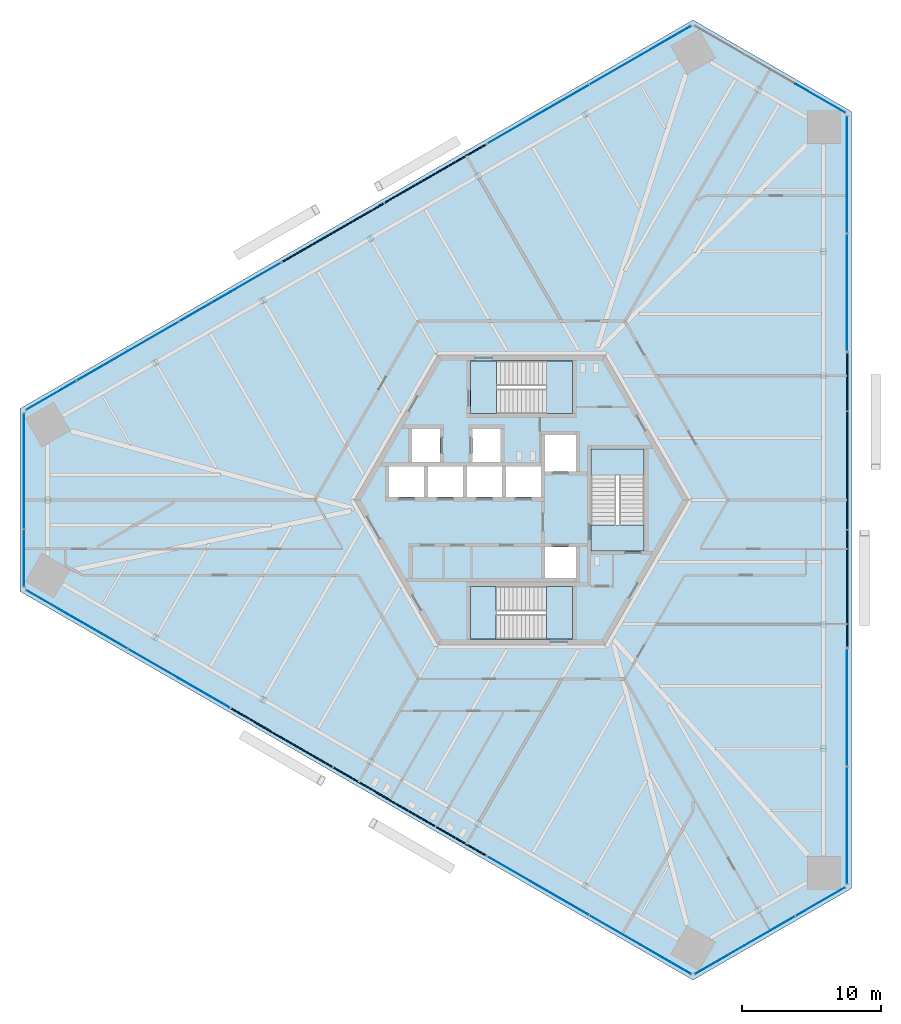
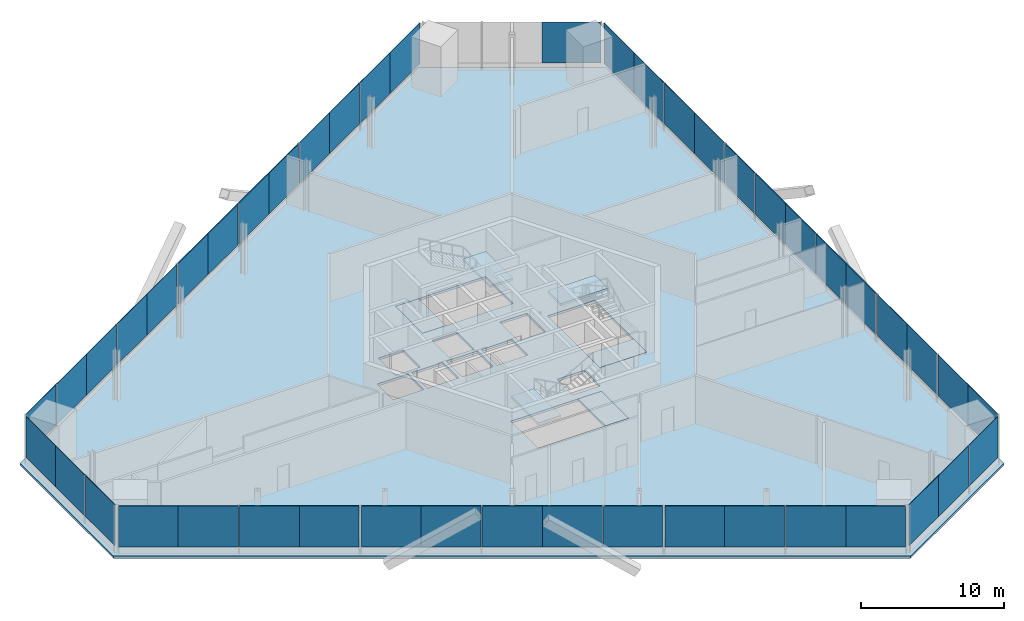
# One storey, part 8 of 15: 46 plates, 7 slabs, 15 elements without a shape of their own.
"""IFC4 building model written with IfcOpenShell, lengths in metres."""

import ifcopenshell
import ifcopenshell.guid

model = None  # the IFC model being written
_history = None  # IfcOwnerHistory: only IFC2X3 demands one
_inside = {}  # id of a spatial element -> (the spatial element, [elements in it])
_under = {}  # id of a project, library or spatial element -> (it, [spatial elements below it])
_declared = {}  # id of a project -> (the project, [libraries it declares])
_typed = {}  # id of a type object -> (the type object, [elements of that type])
_made_of = {}  # id of a material, layer set ... -> (it, [elements and type objects made of it])


def new_model(schema):
    """Start an empty IFC model of exactly this schema.

    Asked for "IFC4X3", IfcOpenShell would pick the latest addendum, in which some entities
    have other attributes; the version numbers below select the first issue.
    IFC2X3 requires an IfcOwnerHistory on every rooted entity: one is made here for all.
    """
    global model, _history
    if schema == "IFC4X3":
        model = ifcopenshell.file(schema_version=(4, 3, 0, 0))
    else:
        model = ifcopenshell.file(schema=schema)
    _inside.clear()
    _under.clear()
    _declared.clear()
    _typed.clear()
    _made_of.clear()
    _history = None
    if model.schema == "IFC2X3":
        org = make("IfcOrganization", Name="unknown")
        user = make(
            "IfcPersonAndOrganization",
            ThePerson=make("IfcPerson", FamilyName="unknown"),
            TheOrganization=org,
        )
        app = make(
            "IfcApplication",
            ApplicationDeveloper=org,
            Version="unknown",
            ApplicationFullName="unknown",
            ApplicationIdentifier="unknown",
        )
        _history = make(
            "IfcOwnerHistory",
            OwningUser=user,
            OwningApplication=app,
            ChangeAction="ADDED",
            CreationDate=0,
        )
    return model


def make(cls, **values):
    """One entity of the class cls with the attributes given. An attribute that is None is left unset."""
    return model.create_entity(
        cls, **{name: value for name, value in values.items() if value is not None}
    )


def rooted(cls, **values):
    """An entity with a GlobalId (a new one), such as an element, a storey or a relation."""
    return make(cls, GlobalId=ifcopenshell.guid.new(), OwnerHistory=_history, **values)


def si_unit(unit_type, name, prefix=None):
    """IfcSIUnit, for example si_unit("LENGTHUNIT", "METRE", prefix="MILLI")."""
    return make("IfcSIUnit", UnitType=unit_type, Prefix=prefix, Name=name)


def assignment(units):
    """IfcUnitAssignment: the units of a project."""
    return None if units is None else make("IfcUnitAssignment", Units=units)


def point(xyz):
    """IfcCartesianPoint."""
    return None if xyz is None else make("IfcCartesianPoint", Coordinates=xyz)


def direction(xyz):
    """IfcDirection."""
    return None if xyz is None else make("IfcDirection", DirectionRatios=xyz)


def frame(location, z_axis=None, x_axis=None):
    """IfcAxis2Placement3D, a coordinate frame: its origin and axes. An axis left out is left unset."""
    return make(
        "IfcAxis2Placement3D",
        Location=point(location),
        Axis=direction(z_axis),
        RefDirection=direction(x_axis),
    )


def frame_2d(location, x_axis=None):
    """IfcAxis2Placement2D, a coordinate frame in the plane: its origin and x axis."""
    return make(
        "IfcAxis2Placement2D", Location=point(location), RefDirection=direction(x_axis)
    )


def origin():
    """The frame at (0, 0, 0) with its axes left unset."""
    return frame((0.0, 0.0, 0.0))


def origin_2d():
    """The frame at (0, 0) in the plane with its x axis left unset."""
    return frame_2d((0.0, 0.0))


def place(relative_to, where):
    """IfcLocalPlacement: puts the frame where relative to a parent placement (None: the world)."""
    return make(
        "IfcLocalPlacement", PlacementRelTo=relative_to, RelativePlacement=where
    )


def context(
    kind, dimensions, precision=None, world=None, true_north=None, identifier=None
):
    """IfcGeometricRepresentationContext, for example the 3D "Model" context."""
    return make(
        "IfcGeometricRepresentationContext",
        ContextIdentifier=identifier,
        ContextType=kind,
        CoordinateSpaceDimension=dimensions,
        Precision=precision,
        WorldCoordinateSystem=world,
        TrueNorth=true_north,
    )


def subcontext(parent, identifier, kind, view, scale=None):
    """IfcGeometricRepresentationSubContext, for example "Body" below "Model"."""
    return make(
        "IfcGeometricRepresentationSubContext",
        ContextIdentifier=identifier,
        ContextType=kind,
        ParentContext=parent,
        TargetScale=scale,
        TargetView=view,
    )


def project(units=None, contexts=None):
    """IfcProject with its units and contexts."""
    return rooted(
        "IfcProject",
        Name="project",
        RepresentationContexts=contexts,
        UnitsInContext=assignment(units),
    )


def spatial(cls, under=None, at=None, **own):
    """A site, building, storey or space (cls), placed at a placement, below another one or the project."""
    s = rooted(cls, ObjectPlacement=at, **own)
    if under is not None:
        _under.setdefault(under.id(), (under, []))[1].append(s)
    return s


def polyline(points):
    """IfcPolyline through the points."""
    return make("IfcPolyline", Points=[point(p) for p in points])


def profile(cls, at=None, kind="AREA", **sizes):
    """A parametric profile (cls). Its sizes go by their IFC names, for example OverallWidth=200.0."""
    return make(cls, ProfileType=kind, Position=at, **sizes)


def rectangle(**sizes):
    """IfcRectangleProfileDef."""
    return profile("IfcRectangleProfileDef", **sizes)


def outline(outer, holes=None, kind="AREA"):
    """IfcArbitraryClosedProfileDef: a profile drawn as a closed curve; with holes, ...WithVoids."""
    if holes is None:
        return make("IfcArbitraryClosedProfileDef", ProfileType=kind, OuterCurve=outer)
    return make(
        "IfcArbitraryProfileDefWithVoids",
        ProfileType=kind,
        OuterCurve=outer,
        InnerCurves=holes,
    )


def extrude(swept, where, along, depth):
    """IfcExtrudedAreaSolid: the profile swept, set in the frame where, extruded along a direction by depth."""
    return make(
        "IfcExtrudedAreaSolid",
        SweptArea=swept,
        Position=where,
        ExtrudedDirection=direction(along),
        Depth=depth,
    )


def shape(context_of_items, identifier, shape_type, items):
    """IfcShapeRepresentation: the items that make up one representation, for example the "Body"."""
    return make(
        "IfcShapeRepresentation",
        ContextOfItems=context_of_items,
        RepresentationIdentifier=identifier,
        RepresentationType=shape_type,
        Items=items,
    )


def source(mapping_origin, context_of_items, identifier, shape_type, items):
    """IfcRepresentationMap: a shape defined once, which mapped items show again and again."""
    return make(
        "IfcRepresentationMap",
        MappingOrigin=mapping_origin,
        MappedRepresentation=shape(context_of_items, identifier, shape_type, items),
    )


def transform(
    local_origin,
    x_axis=None,
    y_axis=None,
    z_axis=None,
    scale=None,
    scale2=None,
    scale3=None,
    uniform=True,
):
    """IfcCartesianTransformationOperator3D, or its non-uniform kind. x_axis, y_axis, z_axis: its Axis1, 2, 3."""
    if uniform:
        return make(
            "IfcCartesianTransformationOperator3D",
            Axis1=direction(x_axis),
            Axis2=direction(y_axis),
            LocalOrigin=point(local_origin),
            Scale=scale,
            Axis3=direction(z_axis),
        )
    return make(
        "IfcCartesianTransformationOperator3DnonUniform",
        Axis1=direction(x_axis),
        Axis2=direction(y_axis),
        LocalOrigin=point(local_origin),
        Scale=scale,
        Axis3=direction(z_axis),
        Scale2=scale2,
        Scale3=scale3,
    )


def mapped(mapping_source, mapping_target):
    """IfcMappedItem: shows the shape of a source again, moved by a transform."""
    return make(
        "IfcMappedItem", MappingSource=mapping_source, MappingTarget=mapping_target
    )


def material(Name=None, Category=None):
    """IfcMaterial."""
    return make("IfcMaterial", Name=Name, Category=Category)


def layer(
    of_material, thickness, ventilated=None, Name=None, Category=None, Priority=None
):
    """IfcMaterialLayer: one layer of a wall or slab, of a material (None: an air gap)."""
    return make(
        "IfcMaterialLayer",
        Material=of_material,
        LayerThickness=thickness,
        IsVentilated=ventilated,
        Name=Name,
        Category=Category,
        Priority=Priority,
    )


def layer_set(layers, Name=None):
    """IfcMaterialLayerSet."""
    return make("IfcMaterialLayerSet", MaterialLayers=layers, LayerSetName=Name)


def made_of(thing, what):
    """Note that an element or type object is made of a material, layer set ...; save() writes the relation."""
    if what is not None:
        _made_of.setdefault(what.id(), (what, []))[1].append(thing)
    return thing


def type_object(cls, material=None, **own):
    """A type object (cls), such as IfcWallType, which elements share."""
    return made_of(rooted(cls, **own), material)


def element(
    cls,
    number,
    at=None,
    inside=None,
    cuts=None,
    type_object=None,
    material=None,
    context=None,
    identifier="Body",
    shape_type=None,
    held_by="IfcProductDefinitionShape",
    body=None,
    shapes=None,
    **own,
):
    """One element of the class cls, such as IfcWall. Its Tag is "e" and its number.

    at: its placement. inside: the storey or other place that contains it. cuts: it is an
    opening in that element (IfcRelVoidsElement). A single representation is given by context,
    identifier, shape_type and body (its items); several are given by shapes. held_by: the class
    of the entity that holds the representations. save() writes the other relations.
    """
    e = rooted(cls, Tag="e%d" % number, ObjectPlacement=at, **own)
    if body is not None:
        shapes = [shape(context, identifier, shape_type, body)]
    if shapes is not None:
        e.Representation = make(held_by, Representations=shapes)
    if inside is not None:
        _inside.setdefault(inside.id(), (inside, []))[1].append(e)
    if cuts is not None:
        rooted(
            "IfcRelVoidsElement", RelatingBuildingElement=cuts, RelatedOpeningElement=e
        )
    if type_object is not None:
        _typed.setdefault(type_object.id(), (type_object, []))[1].append(e)
    return made_of(e, material)


def aggregate(whole, parts):
    """IfcRelAggregates: a whole, such as a stair, and the parts it consists of."""
    return rooted("IfcRelAggregates", RelatingObject=whole, RelatedObjects=parts)


def save(model, path):
    """Write the relations noted so far, then the file.

    IfcRelAggregates (storeys below a building ...), IfcRelContainedInSpatialStructure (elements
    in a storey), IfcRelDefinesByType, IfcRelAssociatesMaterial and IfcRelDeclares: one each for
    every whole, place, type object, material and project.
    """
    for whole, parts in _under.values():
        aggregate(whole, parts)
    for where, things in _inside.values():
        rooted(
            "IfcRelContainedInSpatialStructure",
            RelatedElements=things,
            RelatingStructure=where,
        )
    for kind, things in _typed.values():
        rooted("IfcRelDefinesByType", RelatedObjects=things, RelatingType=kind)
    for what, things in _made_of.values():
        rooted("IfcRelAssociatesMaterial", RelatedObjects=things, RelatingMaterial=what)
    for by, libraries in _declared.values():
        rooted("IfcRelDeclares", RelatingContext=by, RelatedDefinitions=libraries)
    model.write(path)


model = new_model("IFC4")

# Units and contexts
model_context = context("Model", 3, precision=1e-05, world=origin(), true_north=direction((0.0, 1.0)))
body_context = subcontext(model_context, "Body", "Model", "MODEL_VIEW")
ifc_project = project(units=[si_unit("LENGTHUNIT", "METRE"), si_unit("AREAUNIT", "SQUARE_METRE"), si_unit("VOLUMEUNIT", "CUBIC_METRE"), si_unit("PLANEANGLEUNIT", "RADIAN"), si_unit("MASSUNIT", "GRAM", prefix="KILO")], contexts=[model_context])

# Site, building, storey
site_placement = place(None, origin())
site = spatial("IfcSite", under=ifc_project, at=site_placement, CompositionType="ELEMENT")
building_placement = place(site_placement, origin())
building = spatial("IfcBuilding", under=site, at=building_placement, Name="Triune Harvest Tower", CompositionType="ELEMENT")
storey_placement = place(building_placement, frame((0.0, 0.0, 28.89990234375)))
storey = spatial("IfcBuildingStorey", under=building, at=storey_placement, Name="L06", CompositionType="ELEMENT", Elevation=28.89990234375)

# Slab
ifc_material_1 = material(Name="Concrete 40 MPa", Category="concrete")
ifc_layer_1 = layer(ifc_material_1, 0.199951171875)
ifc_layer_set_1 = layer_set([ifc_layer_1], Name="Concrete 40 MPa")
slab_type_1 = type_object("IfcSlabType", Name="SL-3 Composite floor slab 200", PredefinedType="FLOOR", material=ifc_layer_set_1)
shared_shape_1 = source(origin(), body_context, "Body", "SweptSolid", [
    extrude(outline(polyline([(23.67138671875, -27.8798828125), (23.67138671875, 27.8798828125), (12.30908203125, 34.43994140625), (-35.98046875, 6.56005859375), (-35.98046875, -6.56005859375), (12.30908203125, -34.43994140625), (23.67138671875, -27.8798828125)]), holes=[polyline([(-7.0, 0.2099609375), (-7.0, 2.409912109375), (-9.5, 2.409912109375), (-9.5, 0.2099609375), (-7.0, 0.2099609375)]), polyline([(-4.199951171875, 0.2099609375), (-4.199951171875, 2.409912109375), (-6.699951171875, 2.409912109375), (-6.699951171875, 0.2099609375), (-4.199951171875, 0.2099609375)]), polyline([(-1.39990234375, 0.2099609375), (-1.39990234375, 2.409912109375), (-3.89990234375, 2.409912109375), (-3.89990234375, 0.2099609375), (-1.39990234375, 0.2099609375)]), polyline([(1.39990234375, 0.2099609375), (1.39990234375, 2.409912109375), (-1.10009765625, 2.409912109375), (-1.10009765625, 0.2099609375), (1.39990234375, 0.2099609375)]), polyline([(3.89990234375, 2.06005859375), (3.89990234375, 4.659912109375), (1.699951171875, 4.659912109375), (1.699951171875, 2.06005859375), (3.89990234375, 2.06005859375)]), polyline([(3.89990234375, -5.590087890625), (3.89990234375, -3.389892578125), (1.699951171875, -3.389892578125), (1.699951171875, -5.590087890625), (3.89990234375, -5.590087890625)]), polyline([(-5.85009765625, 2.7099609375), (-5.85009765625, 5.110107421875), (-7.85009765625, 5.110107421875), (-7.85009765625, 2.7099609375), (-5.85009765625, 2.7099609375)]), polyline([(-1.5, 2.7099609375), (-1.5, 5.110107421875), (-3.5, 5.110107421875), (-3.5, 2.7099609375), (-1.5, 2.7099609375)]), polyline([(3.64990234375, 6.18994140625), (3.64990234375, 9.989990234375), (-3.64990234375, 9.989990234375), (-3.64990234375, 6.18994140625), (3.64990234375, 6.18994140625)]), polyline([(3.64990234375, -9.989990234375), (3.64990234375, -6.18994140625), (-3.64990234375, -6.18994140625), (-3.64990234375, -9.989990234375), (3.64990234375, -9.989990234375)]), polyline([(8.800048828125, -3.64990234375), (8.800048828125, 3.64990234375), (5.0, 3.64990234375), (5.0, -3.64990234375), (8.800048828125, -3.64990234375)])]), origin(), (0.0, 0.0, 1.0), 0.199951171875),
])
slab_1_placement = place(storey_placement, frame((0.0, 0.0, -0.199951171875)))
element("IfcSlab", 1, at=slab_1_placement, inside=storey, type_object=slab_type_1, Name="slab/L06/1", PredefinedType="FLOOR", context=body_context, shape_type="MappedRepresentation", body=[
    mapped(shared_shape_1, transform((0.0, 0.0, 0.0), scale=1.0)),
])

# Stair, slabs
ifc_material_2 = material(Name="Concrete 40 MPa", Category="concrete")
stair_type = type_object("IfcStairType", Name="Exit stair 1800 half turn", PredefinedType="HALF_TURN_STAIR", material=ifc_material_2)
stair_1_placement = place(storey_placement, origin())
stair_1 = element("IfcStair", 2, at=stair_1_placement, inside=storey, type_object=stair_type, Name="Exit stair north", PredefinedType="HALF_TURN_STAIR")
ifc_material_3 = material(Name="Concrete 40 MPa", Category="concrete")
ifc_layer_2 = layer(ifc_material_3, 0.199951171875)
ifc_layer_set_2 = layer_set([ifc_layer_2], Name="Concrete 40 MPa")
slab_type_2 = type_object("IfcSlabType", Name="Stair landing 200", PredefinedType="LANDING", material=ifc_layer_set_2)
shared_shape_2 = source(origin(), body_context, "Body", "SweptSolid", [
    extrude(outline(polyline([(-3.64990234375, 6.18994140625), (-1.780029296875, 6.18994140625), (-1.780029296875, 9.989990234375), (-3.64990234375, 9.989990234375), (-3.64990234375, 6.18994140625)])), origin(), (0.0, 0.0, 1.0), 0.199951171875),
])
slab_2_placement = place(storey_placement, frame((0.0, 0.0, -0.199951171875)))
slab_2 = element("IfcSlab", 3, at=slab_2_placement, type_object=slab_type_2, Name="ST-1 landing 1", PredefinedType="LANDING", context=body_context, shape_type="MappedRepresentation", body=[
    mapped(shared_shape_2, transform((0.0, 0.0, 0.0), scale=1.0)),
])
shared_shape_3 = source(origin(), body_context, "Body", "SweptSolid", [
    extrude(outline(polyline([(1.81005859375, 6.18994140625), (3.64990234375, 6.18994140625), (3.64990234375, 9.989990234375), (1.81005859375, 9.989990234375), (1.81005859375, 6.18994140625)])), origin(), (0.0, 0.0, 1.0), 0.199951171875),
])
slab_3_placement = place(storey_placement, frame((0.0, 0.0, 1.9501953125)))
slab_3 = element("IfcSlab", 4, at=slab_3_placement, type_object=slab_type_2, Name="ST-1 landing 2", PredefinedType="LANDING", context=body_context, shape_type="MappedRepresentation", body=[
    mapped(shared_shape_3, transform((0.0, 0.0, 0.0), scale=1.0)),
])
aggregate(stair_1, [slab_2, slab_3])

stair_2_placement = place(storey_placement, origin())
stair_2 = element("IfcStair", 5, at=stair_2_placement, inside=storey, type_object=stair_type, Name="Exit stair south", PredefinedType="HALF_TURN_STAIR")
shared_shape_4 = source(origin(), body_context, "Body", "SweptSolid", [
    extrude(outline(polyline([(3.64990234375, -6.18994140625), (1.780029296875, -6.18994140625), (1.780029296875, -9.989990234375), (3.64990234375, -9.989990234375), (3.64990234375, -6.18994140625)])), origin(), (0.0, 0.0, 1.0), 0.199951171875),
])
slab_4_placement = place(storey_placement, frame((0.0, 0.0, -0.199951171875)))
slab_4 = element("IfcSlab", 6, at=slab_4_placement, type_object=slab_type_2, Name="ST-2 landing 1", PredefinedType="LANDING", context=body_context, shape_type="MappedRepresentation", body=[
    mapped(shared_shape_4, transform((0.0, 0.0, 0.0), scale=1.0)),
])
shared_shape_5 = source(origin(), body_context, "Body", "SweptSolid", [
    extrude(outline(polyline([(-1.81005859375, -6.18994140625), (-3.64990234375, -6.18994140625), (-3.64990234375, -9.989990234375), (-1.81005859375, -9.989990234375), (-1.81005859375, -6.18994140625)])), origin(), (0.0, 0.0, 1.0), 0.199951171875),
])
slab_5_placement = place(storey_placement, frame((0.0, 0.0, 1.9501953125)))
slab_5 = element("IfcSlab", 7, at=slab_5_placement, type_object=slab_type_2, Name="ST-2 landing 2", PredefinedType="LANDING", context=body_context, shape_type="MappedRepresentation", body=[
    mapped(shared_shape_5, transform((0.0, 0.0, 0.0), scale=1.0)),
])
aggregate(stair_2, [slab_4, slab_5])

stair_3_placement = place(storey_placement, origin())
stair_3 = element("IfcStair", 8, at=stair_3_placement, inside=storey, type_object=stair_type, Name="Exit stair east", PredefinedType="HALF_TURN_STAIR")
shared_shape_6 = source(origin(), body_context, "Body", "SweptSolid", [
    extrude(outline(polyline([(8.800048828125, -3.64990234375), (8.800048828125, -1.780029296875), (5.0, -1.780029296875), (5.0, -3.64990234375), (8.800048828125, -3.64990234375)])), origin(), (0.0, 0.0, 1.0), 0.199951171875),
])
slab_6_placement = place(storey_placement, frame((0.0, 0.0, -0.199951171875)))
slab_6 = element("IfcSlab", 9, at=slab_6_placement, type_object=slab_type_2, Name="ST-3 landing 1", PredefinedType="LANDING", context=body_context, shape_type="MappedRepresentation", body=[
    mapped(shared_shape_6, transform((0.0, 0.0, 0.0), scale=1.0)),
])
shared_shape_7 = source(origin(), body_context, "Body", "SweptSolid", [
    extrude(outline(polyline([(8.800048828125, 1.81005859375), (8.800048828125, 3.64990234375), (5.0, 3.64990234375), (5.0, 1.81005859375), (8.800048828125, 1.81005859375)])), origin(), (0.0, 0.0, 1.0), 0.199951171875),
])
slab_7_placement = place(storey_placement, frame((0.0, 0.0, 1.9501953125)))
slab_7 = element("IfcSlab", 10, at=slab_7_placement, type_object=slab_type_2, Name="ST-3 landing 2", PredefinedType="LANDING", context=body_context, shape_type="MappedRepresentation", body=[
    mapped(shared_shape_7, transform((0.0, 0.0, 0.0), scale=1.0)),
])
aggregate(stair_3, [slab_6, slab_7])

# Curtain wall, plate
ifc_material_4 = material(Name="Aluminium bronze anodised", Category="aluminium")
curtain_wall_type_1 = type_object("IfcCurtainWallType", Name="CW-3 Farm floor curtain wall", PredefinedType="NOTDEFINED", material=ifc_material_4)
curtain_wall_1_placement = place(storey_placement, origin())
curtain_wall_1 = element("IfcCurtainWall", 11, at=curtain_wall_1_placement, inside=storey, type_object=curtain_wall_type_1, Name="CW-3 B1-F2 L06 run 1")
ifc_material_5 = material(Name="Glass", Category="glass")
ifc_layer_3 = layer(ifc_material_5, 0.035888671875)
ifc_layer_set_3 = layer_set([ifc_layer_3], Name="Glass")
plate_type_1 = type_object("IfcPlateType", Name="GL-3 panel 36", PredefinedType="CURTAIN_PANEL", material=ifc_layer_set_3)
shared_shape_8 = source(origin(), body_context, "Body", "SweptSolid", [
    extrude(rectangle(XDim=4.117919921875, YDim=0.035888671875, at=origin_2d()), origin(), (0.0, 0.0, 1.0), 3.5),
])
plate_1_placement = place(storey_placement, frame((21.441162109375, 28.8212890625, 0.60009765625), z_axis=(0.0, 0.0, 1.0), x_axis=(-0.866026145592, 0.499998715149, 0.0)))
plate_1 = element("IfcPlate", 12, at=plate_1_placement, type_object=plate_type_1, Name="CW-3 panel B1-F2 1.1", PredefinedType="CURTAIN_PANEL", context=body_context, shape_type="MappedRepresentation", body=[
    mapped(shared_shape_8, transform((0.0, 0.0, 0.0), scale=1.0)),
])
aggregate(curtain_wall_1, [plate_1])

curtain_wall_2_placement = place(storey_placement, origin())
curtain_wall_2 = element("IfcCurtainWall", 13, at=curtain_wall_2_placement, inside=storey, type_object=curtain_wall_type_1, Name="CW-3 B1-F4 L06 run 1")
plate_2_placement = place(storey_placement, frame((-35.680419921875, 4.157958984375, 0.60009765625), z_axis=(0.0, 0.0, 1.0), x_axis=(0.0, -1.0, 0.0)))
plate_2 = element("IfcPlate", 14, at=plate_2_placement, type_object=plate_type_1, Name="CW-3 panel B1-F4 1.1", PredefinedType="CURTAIN_PANEL", context=body_context, shape_type="MappedRepresentation", body=[
    mapped(shared_shape_8, transform((0.0, 0.0, 0.0), scale=1.0)),
])

curtain_wall_3_placement = place(storey_placement, origin())
curtain_wall_3 = element("IfcCurtainWall", 15, at=curtain_wall_3_placement, inside=storey, type_object=curtain_wall_type_1, Name="CW-3 B1-F6 L06 run 1")
plate_3_placement = place(storey_placement, frame((14.239501953125, -32.979248046875, 0.60009765625), z_axis=(0.0, 0.0, 1.0), x_axis=(0.866026145592, 0.499998715149, 0.0)))
plate_3 = element("IfcPlate", 16, at=plate_3_placement, type_object=plate_type_1, Name="CW-3 panel B1-F6 1.1", PredefinedType="CURTAIN_PANEL", context=body_context, shape_type="MappedRepresentation", body=[
    mapped(shared_shape_8, transform((0.0, 0.0, 0.0), scale=1.0)),
])

# Plate
shared_shape_9 = source(origin(), body_context, "Body", "SweptSolid", [
    extrude(rectangle(XDim=4.157958984375, YDim=0.035888671875, at=origin_2d()), origin(), (0.0, 0.0, 1.0), 3.5),
])
plate_4_placement = place(storey_placement, frame((-35.680419921875, 0.02001953125, 0.60009765625), z_axis=(0.0, 0.0, 1.0), x_axis=(0.0, -1.0, 0.0)))
plate_4 = element("IfcPlate", 17, at=plate_4_placement, type_object=plate_type_1, Name="CW-3 panel B1-F4 1.2", PredefinedType="CURTAIN_PANEL", context=body_context, shape_type="MappedRepresentation", body=[
    mapped(shared_shape_9, transform((0.0, 0.0, 0.0), scale=1.0)),
])

plate_5_placement = place(storey_placement, frame((17.822998046875, -30.91015625, 0.60009765625), z_axis=(0.0, 0.0, 1.0), x_axis=(0.866026145592, 0.499998715149, 0.0)))
plate_5 = element("IfcPlate", 18, at=plate_5_placement, type_object=plate_type_1, Name="CW-3 panel B1-F6 1.2", PredefinedType="CURTAIN_PANEL", context=body_context, shape_type="MappedRepresentation", body=[
    mapped(shared_shape_9, transform((0.0, 0.0, 0.0), scale=1.0)),
])

shared_shape_10 = source(origin(), body_context, "Body", "SweptSolid", [
    extrude(rectangle(XDim=4.077880859375, YDim=0.035888671875, at=origin_2d()), origin(), (0.0, 0.0, 1.0), 3.5),
])
plate_6_placement = place(storey_placement, frame((-35.680419921875, -4.177978515625, 0.60009765625), z_axis=(0.0, 0.0, 1.0), x_axis=(0.0, -1.0, 0.0)))
plate_6 = element("IfcPlate", 19, at=plate_6_placement, type_object=plate_type_1, Name="CW-3 panel B1-F4 1.3", PredefinedType="CURTAIN_PANEL", context=body_context, shape_type="MappedRepresentation", body=[
    mapped(shared_shape_10, transform((0.0, 0.0, 0.0), scale=1.0)),
])

aggregate(curtain_wall_2, [plate_2, plate_4, plate_6])

plate_7_placement = place(storey_placement, frame((21.45849609375, -28.811279296875, 0.60009765625), z_axis=(0.0, 0.0, 1.0), x_axis=(0.866026145592, 0.499998715149, 0.0)))
plate_7 = element("IfcPlate", 20, at=plate_7_placement, type_object=plate_type_1, Name="CW-3 panel B1-F6 1.3", PredefinedType="CURTAIN_PANEL", context=body_context, shape_type="MappedRepresentation", body=[
    mapped(shared_shape_10, transform((0.0, 0.0, 0.0), scale=1.0)),
])

aggregate(curtain_wall_3, [plate_3, plate_5, plate_7])

# Curtain wall, plate
ifc_material_6 = material(Name="Aluminium bronze anodised", Category="aluminium")
curtain_wall_type_2 = type_object("IfcCurtainWallType", Name="CW-8 Farm floor curtain wall with insulated spandrel infill", PredefinedType="NOTDEFINED", material=ifc_material_6)
curtain_wall_4_placement = place(storey_placement, origin())
curtain_wall_4 = element("IfcCurtainWall", 21, at=curtain_wall_4_placement, inside=storey, type_object=curtain_wall_type_2, Name="CW-8 B1-F1 L06 run 1001")
ifc_material_7 = material(Name="Insulated spandrel panel, bronze aluminium pan", Category="aluminium")
ifc_layer_4 = layer(ifc_material_7, 0.080078125)
ifc_layer_set_4 = layer_set([ifc_layer_4], Name="Insulated spandrel panel, bronze aluminium pan")
plate_type_2 = type_object("IfcPlateType", Name="SP-1 insulated spandrel panel 80", PredefinedType="CURTAIN_PANEL", material=ifc_layer_set_4)
shared_shape_11 = source(origin(), body_context, "Body", "SweptSolid", [
    extrude(rectangle(XDim=4.168701171875, YDim=0.080078125, at=origin_2d()), origin(), (0.0, 0.0, 1.0), 3.5),
])
plate_8_placement = place(storey_placement, frame((23.371337890625, -8.45751953125, 0.60009765625), z_axis=(0.0, 0.0, 1.0), x_axis=(0.0, 1.0, 0.0)))
plate_8 = element("IfcPlate", 22, at=plate_8_placement, type_object=plate_type_2, Name="CW-8 panel B1-F1 1001.1", PredefinedType="CURTAIN_PANEL", context=body_context, shape_type="MappedRepresentation", body=[
    mapped(shared_shape_11, transform((0.0, 0.0, 0.0), scale=1.0)),
])

# Curtain wall, plates
curtain_wall_5_placement = place(storey_placement, origin())
curtain_wall_5 = element("IfcCurtainWall", 23, at=curtain_wall_5_placement, inside=storey, type_object=curtain_wall_type_2, Name="CW-8 B1-F3 L06 run 1001")
plate_9_placement = place(storey_placement, frame((-4.361328125, 24.468994140625, 0.60009765625), z_axis=(0.0, 0.0, 1.0), x_axis=(-0.866025378224, -0.500000044272, 0.0)))
plate_9 = element("IfcPlate", 24, at=plate_9_placement, type_object=plate_type_2, Name="CW-8 panel B1-F3 1001.1", PredefinedType="CURTAIN_PANEL", context=body_context, shape_type="MappedRepresentation", body=[
    mapped(shared_shape_11, transform((0.0, 0.0, 0.0), scale=1.0)),
])
plate_10_placement = place(storey_placement, frame((-15.33056640625, 18.1357421875, 0.60009765625), z_axis=(0.0, 0.0, 1.0), x_axis=(-0.866025378224, -0.500000044272, 0.0)))
plate_10 = element("IfcPlate", 25, at=plate_10_placement, type_object=plate_type_2, Name="CW-8 panel B1-F3 1001.4", PredefinedType="CURTAIN_PANEL", context=body_context, shape_type="MappedRepresentation", body=[
    mapped(shared_shape_11, transform((0.0, 0.0, 0.0), scale=1.0)),
])

# Curtain wall, plate
curtain_wall_6_placement = place(storey_placement, origin())
curtain_wall_6 = element("IfcCurtainWall", 26, at=curtain_wall_6_placement, inside=storey, type_object=curtain_wall_type_2, Name="CW-8 B1-F5 L06 run 1001")
plate_11_placement = place(storey_placement, frame((-19.010009765625, -16.011474609375, 0.60009765625), z_axis=(0.0, 0.0, 1.0), x_axis=(0.866026612754, -0.499997905997, 0.0)))
plate_11 = element("IfcPlate", 27, at=plate_11_placement, type_object=plate_type_2, Name="CW-8 panel B1-F5 1001.1", PredefinedType="CURTAIN_PANEL", context=body_context, shape_type="MappedRepresentation", body=[
    mapped(shared_shape_11, transform((0.0, 0.0, 0.0), scale=1.0)),
])

# Plate
shared_shape_12 = source(origin(), body_context, "Body", "SweptSolid", [
    extrude(rectangle(XDim=4.208740234375, YDim=0.080078125, at=origin_2d()), origin(), (0.0, 0.0, 1.0), 3.5),
])
plate_12_placement = place(storey_placement, frame((23.371337890625, -4.268798828125, 0.60009765625), z_axis=(0.0, 0.0, 1.0), x_axis=(0.0, 1.0, 0.0)))
plate_12 = element("IfcPlate", 28, at=plate_12_placement, type_object=plate_type_2, Name="CW-8 panel B1-F1 1001.2", PredefinedType="CURTAIN_PANEL", context=body_context, shape_type="MappedRepresentation", body=[
    mapped(shared_shape_12, transform((0.0, 0.0, 0.0), scale=1.0)),
])

plate_13_placement = place(storey_placement, frame((23.371337890625, 0.02001953125, 0.60009765625), z_axis=(0.0, 0.0, 1.0), x_axis=(0.0, 1.0, 0.0)))
plate_13 = element("IfcPlate", 29, at=plate_13_placement, type_object=plate_type_2, Name="CW-8 panel B1-F1 1001.3", PredefinedType="CURTAIN_PANEL", context=body_context, shape_type="MappedRepresentation", body=[
    mapped(shared_shape_12, transform((0.0, 0.0, 0.0), scale=1.0)),
])

plate_14_placement = place(storey_placement, frame((23.371337890625, 4.228759765625, 0.60009765625), z_axis=(0.0, 0.0, 1.0), x_axis=(0.0, 1.0, 0.0)))
plate_14 = element("IfcPlate", 30, at=plate_14_placement, type_object=plate_type_2, Name="CW-8 panel B1-F1 1001.4", PredefinedType="CURTAIN_PANEL", context=body_context, shape_type="MappedRepresentation", body=[
    mapped(shared_shape_12, transform((0.0, 0.0, 0.0), scale=1.0)),
])

plate_15_placement = place(storey_placement, frame((-7.98876953125, 22.37451171875, 0.60009765625), z_axis=(0.0, 0.0, 1.0), x_axis=(-0.866025378224, -0.500000044272, 0.0)))
plate_15 = element("IfcPlate", 31, at=plate_15_placement, type_object=plate_type_2, Name="CW-8 panel B1-F3 1001.2", PredefinedType="CURTAIN_PANEL", context=body_context, shape_type="MappedRepresentation", body=[
    mapped(shared_shape_12, transform((0.0, 0.0, 0.0), scale=1.0)),
])

plate_16_placement = place(storey_placement, frame((-11.703125, 20.230224609375, 0.60009765625), z_axis=(0.0, 0.0, 1.0), x_axis=(-0.866025378224, -0.500000044272, 0.0)))
plate_16 = element("IfcPlate", 32, at=plate_16_placement, type_object=plate_type_2, Name="CW-8 panel B1-F3 1001.3", PredefinedType="CURTAIN_PANEL", context=body_context, shape_type="MappedRepresentation", body=[
    mapped(shared_shape_12, transform((0.0, 0.0, 0.0), scale=1.0)),
])

aggregate(curtain_wall_5, [plate_9, plate_15, plate_16, plate_10])

plate_17_placement = place(storey_placement, frame((-15.382568359375, -18.10595703125, 0.60009765625), z_axis=(0.0, 0.0, 1.0), x_axis=(0.866026612754, -0.499997905997, 0.0)))
plate_17 = element("IfcPlate", 33, at=plate_17_placement, type_object=plate_type_2, Name="CW-8 panel B1-F5 1001.2", PredefinedType="CURTAIN_PANEL", context=body_context, shape_type="MappedRepresentation", body=[
    mapped(shared_shape_12, transform((0.0, 0.0, 0.0), scale=1.0)),
])

plate_18_placement = place(storey_placement, frame((-11.66845703125, -20.250244140625, 0.60009765625), z_axis=(0.0, 0.0, 1.0), x_axis=(0.866026612754, -0.499997905997, 0.0)))
plate_18 = element("IfcPlate", 34, at=plate_18_placement, type_object=plate_type_2, Name="CW-8 panel B1-F5 1001.3", PredefinedType="CURTAIN_PANEL", context=body_context, shape_type="MappedRepresentation", body=[
    mapped(shared_shape_12, transform((0.0, 0.0, 0.0), scale=1.0)),
])

plate_19_placement = place(storey_placement, frame((-8.0234375, -22.3544921875, 0.60009765625), z_axis=(0.0, 0.0, 1.0), x_axis=(0.866026612754, -0.499997905997, 0.0)))
plate_19 = element("IfcPlate", 35, at=plate_19_placement, type_object=plate_type_2, Name="CW-8 panel B1-F5 1001.4", PredefinedType="CURTAIN_PANEL", context=body_context, shape_type="MappedRepresentation", body=[
    mapped(shared_shape_12, transform((0.0, 0.0, 0.0), scale=1.0)),
])

shared_shape_13 = source(origin(), body_context, "Body", "SweptSolid", [
    extrude(rectangle(XDim=4.128662109375, YDim=0.080078125, at=origin_2d()), origin(), (0.0, 0.0, 1.0), 3.5),
])
plate_20_placement = place(storey_placement, frame((23.371337890625, 8.4775390625, 0.60009765625), z_axis=(0.0, 0.0, 1.0), x_axis=(0.0, 1.0, 0.0)))
plate_20 = element("IfcPlate", 36, at=plate_20_placement, type_object=plate_type_2, Name="CW-8 panel B1-F1 1001.5", PredefinedType="CURTAIN_PANEL", context=body_context, shape_type="MappedRepresentation", body=[
    mapped(shared_shape_13, transform((0.0, 0.0, 0.0), scale=1.0)),
])

aggregate(curtain_wall_4, [plate_8, plate_12, plate_13, plate_14, plate_20])

plate_21_placement = place(storey_placement, frame((-4.343994140625, -24.47900390625, 0.60009765625), z_axis=(0.0, 0.0, 1.0), x_axis=(0.866026612754, -0.499997905997, 0.0)))
plate_21 = element("IfcPlate", 37, at=plate_21_placement, type_object=plate_type_2, Name="CW-8 panel B1-F5 1001.5", PredefinedType="CURTAIN_PANEL", context=body_context, shape_type="MappedRepresentation", body=[
    mapped(shared_shape_13, transform((0.0, 0.0, 0.0), scale=1.0)),
])

aggregate(curtain_wall_6, [plate_11, plate_17, plate_18, plate_19, plate_21])

# Curtain wall, plates
curtain_wall_7_placement = place(storey_placement, origin())
curtain_wall_7 = element("IfcCurtainWall", 38, at=curtain_wall_7_placement, inside=storey, type_object=curtain_wall_type_1, Name="CW-3 B1-F1 L06 run 1")
shared_shape_14 = source(origin(), body_context, "Body", "SweptSolid", [
    extrude(rectangle(XDim=4.168701171875, YDim=0.035888671875, at=origin_2d()), origin(), (0.0, 0.0, 1.0), 3.5),
])
plate_22_placement = place(storey_placement, frame((23.371337890625, -25.452392578125, 0.60009765625), z_axis=(0.0, 0.0, 1.0), x_axis=(0.0, 1.0, 0.0)))
plate_22 = element("IfcPlate", 39, at=plate_22_placement, type_object=plate_type_1, Name="CW-3 panel B1-F1 1.1", PredefinedType="CURTAIN_PANEL", context=body_context, shape_type="MappedRepresentation", body=[
    mapped(shared_shape_14, transform((0.0, 0.0, 0.0), scale=1.0)),
])
plate_23_placement = place(storey_placement, frame((23.371337890625, -12.7861328125, 0.60009765625), z_axis=(0.0, 0.0, 1.0), x_axis=(0.0, 1.0, 0.0)))
plate_23 = element("IfcPlate", 40, at=plate_23_placement, type_object=plate_type_1, Name="CW-3 panel B1-F1 1.4", PredefinedType="CURTAIN_PANEL", context=body_context, shape_type="MappedRepresentation", body=[
    mapped(shared_shape_14, transform((0.0, 0.0, 0.0), scale=1.0)),
])

curtain_wall_8_placement = place(storey_placement, origin())
curtain_wall_8 = element("IfcCurtainWall", 41, at=curtain_wall_8_placement, inside=storey, type_object=curtain_wall_type_1, Name="CW-3 B1-F1 L06 run 2001")
plate_24_placement = place(storey_placement, frame((23.371337890625, 12.7861328125, 0.60009765625), z_axis=(0.0, 0.0, 1.0), x_axis=(0.0, 1.0, 0.0)))
plate_24 = element("IfcPlate", 42, at=plate_24_placement, type_object=plate_type_1, Name="CW-3 panel B1-F1 2001.1", PredefinedType="CURTAIN_PANEL", context=body_context, shape_type="MappedRepresentation", body=[
    mapped(shared_shape_14, transform((0.0, 0.0, 0.0), scale=1.0)),
])
plate_25_placement = place(storey_placement, frame((23.371337890625, 25.452392578125, 0.60009765625), z_axis=(0.0, 0.0, 1.0), x_axis=(0.0, 1.0, 0.0)))
plate_25 = element("IfcPlate", 43, at=plate_25_placement, type_object=plate_type_1, Name="CW-3 panel B1-F1 2001.4", PredefinedType="CURTAIN_PANEL", context=body_context, shape_type="MappedRepresentation", body=[
    mapped(shared_shape_14, transform((0.0, 0.0, 0.0), scale=1.0)),
])

curtain_wall_9_placement = place(storey_placement, origin())
curtain_wall_9 = element("IfcCurtainWall", 44, at=curtain_wall_9_placement, inside=storey, type_object=curtain_wall_type_1, Name="CW-3 B1-F3 L06 run 1")
plate_26_placement = place(storey_placement, frame((10.356689453125, 32.96630859375, 0.60009765625), z_axis=(0.0, 0.0, 1.0), x_axis=(-0.86602475583, -0.500001122288, 0.0)))
plate_26 = element("IfcPlate", 45, at=plate_26_placement, type_object=plate_type_1, Name="CW-3 panel B1-F3 1.1", PredefinedType="CURTAIN_PANEL", context=body_context, shape_type="MappedRepresentation", body=[
    mapped(shared_shape_14, transform((0.0, 0.0, 0.0), scale=1.0)),
])
plate_27_placement = place(storey_placement, frame((-0.612548828125, 26.63330078125, 0.60009765625), z_axis=(0.0, 0.0, 1.0), x_axis=(-0.86602475583, -0.500001122288, 0.0)))
plate_27 = element("IfcPlate", 46, at=plate_27_placement, type_object=plate_type_1, Name="CW-3 panel B1-F3 1.4", PredefinedType="CURTAIN_PANEL", context=body_context, shape_type="MappedRepresentation", body=[
    mapped(shared_shape_14, transform((0.0, 0.0, 0.0), scale=1.0)),
])

# Curtain wall, plate
curtain_wall_10_placement = place(storey_placement, origin())
curtain_wall_10 = element("IfcCurtainWall", 47, at=curtain_wall_10_placement, inside=storey, type_object=curtain_wall_type_1, Name="CW-3 B1-F3 L06 run 2001")
plate_28_placement = place(storey_placement, frame((-19.079345703125, 15.971435546875, 0.60009765625), z_axis=(0.0, 0.0, 1.0), x_axis=(-0.866026114839, -0.499998768415, 0.0)))
plate_28 = element("IfcPlate", 48, at=plate_28_placement, type_object=plate_type_1, Name="CW-3 panel B1-F3 2001.1", PredefinedType="CURTAIN_PANEL", context=body_context, shape_type="MappedRepresentation", body=[
    mapped(shared_shape_14, transform((0.0, 0.0, 0.0), scale=1.0)),
])

# Curtain wall, plates
curtain_wall_11_placement = place(storey_placement, origin())
curtain_wall_11 = element("IfcCurtainWall", 49, at=curtain_wall_11_placement, inside=storey, type_object=curtain_wall_type_1, Name="CW-3 B1-F5 L06 run 1")
plate_29_placement = place(storey_placement, frame((-33.728271484375, -7.513916015625, 0.60009765625), z_axis=(0.0, 0.0, 1.0), x_axis=(0.86602475583, -0.500001122288, 0.0)))
plate_29 = element("IfcPlate", 50, at=plate_29_placement, type_object=plate_type_1, Name="CW-3 panel B1-F5 1.1", PredefinedType="CURTAIN_PANEL", context=body_context, shape_type="MappedRepresentation", body=[
    mapped(shared_shape_14, transform((0.0, 0.0, 0.0), scale=1.0)),
])
plate_30_placement = place(storey_placement, frame((-22.7587890625, -13.84716796875, 0.60009765625), z_axis=(0.0, 0.0, 1.0), x_axis=(0.86602475583, -0.500001122288, 0.0)))
plate_30 = element("IfcPlate", 51, at=plate_30_placement, type_object=plate_type_1, Name="CW-3 panel B1-F5 1.4", PredefinedType="CURTAIN_PANEL", context=body_context, shape_type="MappedRepresentation", body=[
    mapped(shared_shape_14, transform((0.0, 0.0, 0.0), scale=1.0)),
])

curtain_wall_12_placement = place(storey_placement, origin())
curtain_wall_12 = element("IfcCurtainWall", 52, at=curtain_wall_12_placement, inside=storey, type_object=curtain_wall_type_1, Name="CW-3 B1-F5 L06 run 2001")
plate_31_placement = place(storey_placement, frame((-0.612548828125, -26.63330078125, 0.60009765625), z_axis=(0.0, 0.0, 1.0), x_axis=(0.86602475583, -0.500001122288, 0.0)))
plate_31 = element("IfcPlate", 53, at=plate_31_placement, type_object=plate_type_1, Name="CW-3 panel B1-F5 2001.1", PredefinedType="CURTAIN_PANEL", context=body_context, shape_type="MappedRepresentation", body=[
    mapped(shared_shape_14, transform((0.0, 0.0, 0.0), scale=1.0)),
])
plate_32_placement = place(storey_placement, frame((10.356689453125, -32.96630859375, 0.60009765625), z_axis=(0.0, 0.0, 1.0), x_axis=(0.86602475583, -0.500001122288, 0.0)))
plate_32 = element("IfcPlate", 54, at=plate_32_placement, type_object=plate_type_1, Name="CW-3 panel B1-F5 2001.4", PredefinedType="CURTAIN_PANEL", context=body_context, shape_type="MappedRepresentation", body=[
    mapped(shared_shape_14, transform((0.0, 0.0, 0.0), scale=1.0)),
])

# Plate
shared_shape_15 = source(origin(), body_context, "Body", "SweptSolid", [
    extrude(rectangle(XDim=4.208740234375, YDim=0.035888671875, at=origin_2d()), origin(), (0.0, 0.0, 1.0), 3.5),
])
plate_33_placement = place(storey_placement, frame((23.371337890625, -21.263671875, 0.60009765625), z_axis=(0.0, 0.0, 1.0), x_axis=(0.0, 1.0, 0.0)))
plate_33 = element("IfcPlate", 55, at=plate_33_placement, type_object=plate_type_1, Name="CW-3 panel B1-F1 1.2", PredefinedType="CURTAIN_PANEL", context=body_context, shape_type="MappedRepresentation", body=[
    mapped(shared_shape_15, transform((0.0, 0.0, 0.0), scale=1.0)),
])

plate_34_placement = place(storey_placement, frame((23.371337890625, -16.974853515625, 0.60009765625), z_axis=(0.0, 0.0, 1.0), x_axis=(0.0, 1.0, 0.0)))
plate_34 = element("IfcPlate", 56, at=plate_34_placement, type_object=plate_type_1, Name="CW-3 panel B1-F1 1.3", PredefinedType="CURTAIN_PANEL", context=body_context, shape_type="MappedRepresentation", body=[
    mapped(shared_shape_15, transform((0.0, 0.0, 0.0), scale=1.0)),
])

aggregate(curtain_wall_7, [plate_22, plate_33, plate_34, plate_23])

plate_35_placement = place(storey_placement, frame((23.371337890625, 16.974853515625, 0.60009765625), z_axis=(0.0, 0.0, 1.0), x_axis=(0.0, 1.0, 0.0)))
plate_35 = element("IfcPlate", 57, at=plate_35_placement, type_object=plate_type_1, Name="CW-3 panel B1-F1 2001.2", PredefinedType="CURTAIN_PANEL", context=body_context, shape_type="MappedRepresentation", body=[
    mapped(shared_shape_15, transform((0.0, 0.0, 0.0), scale=1.0)),
])

plate_36_placement = place(storey_placement, frame((23.371337890625, 21.263671875, 0.60009765625), z_axis=(0.0, 0.0, 1.0), x_axis=(0.0, 1.0, 0.0)))
plate_36 = element("IfcPlate", 58, at=plate_36_placement, type_object=plate_type_1, Name="CW-3 panel B1-F1 2001.3", PredefinedType="CURTAIN_PANEL", context=body_context, shape_type="MappedRepresentation", body=[
    mapped(shared_shape_15, transform((0.0, 0.0, 0.0), scale=1.0)),
])

aggregate(curtain_wall_8, [plate_24, plate_35, plate_36, plate_25])

plate_37_placement = place(storey_placement, frame((6.729248046875, 30.8720703125, 0.60009765625), z_axis=(0.0, 0.0, 1.0), x_axis=(-0.86602475583, -0.500001122288, 0.0)))
plate_37 = element("IfcPlate", 59, at=plate_37_placement, type_object=plate_type_1, Name="CW-3 panel B1-F3 1.2", PredefinedType="CURTAIN_PANEL", context=body_context, shape_type="MappedRepresentation", body=[
    mapped(shared_shape_15, transform((0.0, 0.0, 0.0), scale=1.0)),
])

plate_38_placement = place(storey_placement, frame((3.01513671875, 28.727783203125, 0.60009765625), z_axis=(0.0, 0.0, 1.0), x_axis=(-0.86602475583, -0.500001122288, 0.0)))
plate_38 = element("IfcPlate", 60, at=plate_38_placement, type_object=plate_type_1, Name="CW-3 panel B1-F3 1.3", PredefinedType="CURTAIN_PANEL", context=body_context, shape_type="MappedRepresentation", body=[
    mapped(shared_shape_15, transform((0.0, 0.0, 0.0), scale=1.0)),
])

aggregate(curtain_wall_9, [plate_26, plate_37, plate_38, plate_27])

plate_39_placement = place(storey_placement, frame((-22.70703125, 13.876953125, 0.60009765625), z_axis=(0.0, 0.0, 1.0), x_axis=(-0.866026114839, -0.499998768415, 0.0)))
plate_39 = element("IfcPlate", 61, at=plate_39_placement, type_object=plate_type_1, Name="CW-3 panel B1-F3 2001.2", PredefinedType="CURTAIN_PANEL", context=body_context, shape_type="MappedRepresentation", body=[
    mapped(shared_shape_15, transform((0.0, 0.0, 0.0), scale=1.0)),
])

plate_40_placement = place(storey_placement, frame((-26.421142578125, 11.732666015625, 0.60009765625), z_axis=(0.0, 0.0, 1.0), x_axis=(-0.866026114839, -0.499998768415, 0.0)))
plate_40 = element("IfcPlate", 62, at=plate_40_placement, type_object=plate_type_1, Name="CW-3 panel B1-F3 2001.3", PredefinedType="CURTAIN_PANEL", context=body_context, shape_type="MappedRepresentation", body=[
    mapped(shared_shape_15, transform((0.0, 0.0, 0.0), scale=1.0)),
])

plate_41_placement = place(storey_placement, frame((-30.06591796875, 9.62841796875, 0.60009765625), z_axis=(0.0, 0.0, 1.0), x_axis=(-0.866026114839, -0.499998768415, 0.0)))
plate_41 = element("IfcPlate", 63, at=plate_41_placement, type_object=plate_type_1, Name="CW-3 panel B1-F3 2001.4", PredefinedType="CURTAIN_PANEL", context=body_context, shape_type="MappedRepresentation", body=[
    mapped(shared_shape_15, transform((0.0, 0.0, 0.0), scale=1.0)),
])

plate_42_placement = place(storey_placement, frame((-30.1005859375, -9.6083984375, 0.60009765625), z_axis=(0.0, 0.0, 1.0), x_axis=(0.86602475583, -0.500001122288, 0.0)))
plate_42 = element("IfcPlate", 64, at=plate_42_placement, type_object=plate_type_1, Name="CW-3 panel B1-F5 1.2", PredefinedType="CURTAIN_PANEL", context=body_context, shape_type="MappedRepresentation", body=[
    mapped(shared_shape_15, transform((0.0, 0.0, 0.0), scale=1.0)),
])

plate_43_placement = place(storey_placement, frame((-26.386474609375, -11.752685546875, 0.60009765625), z_axis=(0.0, 0.0, 1.0), x_axis=(0.86602475583, -0.500001122288, 0.0)))
plate_43 = element("IfcPlate", 65, at=plate_43_placement, type_object=plate_type_1, Name="CW-3 panel B1-F5 1.3", PredefinedType="CURTAIN_PANEL", context=body_context, shape_type="MappedRepresentation", body=[
    mapped(shared_shape_15, transform((0.0, 0.0, 0.0), scale=1.0)),
])

aggregate(curtain_wall_11, [plate_29, plate_42, plate_43, plate_30])

plate_44_placement = place(storey_placement, frame((3.01513671875, -28.727783203125, 0.60009765625), z_axis=(0.0, 0.0, 1.0), x_axis=(0.86602475583, -0.500001122288, 0.0)))
plate_44 = element("IfcPlate", 66, at=plate_44_placement, type_object=plate_type_1, Name="CW-3 panel B1-F5 2001.2", PredefinedType="CURTAIN_PANEL", context=body_context, shape_type="MappedRepresentation", body=[
    mapped(shared_shape_15, transform((0.0, 0.0, 0.0), scale=1.0)),
])

plate_45_placement = place(storey_placement, frame((6.729248046875, -30.8720703125, 0.60009765625), z_axis=(0.0, 0.0, 1.0), x_axis=(0.86602475583, -0.500001122288, 0.0)))
plate_45 = element("IfcPlate", 67, at=plate_45_placement, type_object=plate_type_1, Name="CW-3 panel B1-F5 2001.3", PredefinedType="CURTAIN_PANEL", context=body_context, shape_type="MappedRepresentation", body=[
    mapped(shared_shape_15, transform((0.0, 0.0, 0.0), scale=1.0)),
])

aggregate(curtain_wall_12, [plate_31, plate_44, plate_45, plate_32])

shared_shape_16 = source(origin(), body_context, "Body", "SweptSolid", [
    extrude(rectangle(XDim=4.128662109375, YDim=0.035888671875, at=origin_2d()), origin(), (0.0, 0.0, 1.0), 3.5),
])
plate_46_placement = place(storey_placement, frame((-33.745361328125, 7.50390625, 0.60009765625), z_axis=(0.0, 0.0, 1.0), x_axis=(-0.866026114839, -0.499998768415, 0.0)))
plate_46 = element("IfcPlate", 68, at=plate_46_placement, type_object=plate_type_1, Name="CW-3 panel B1-F3 2001.5", PredefinedType="CURTAIN_PANEL", context=body_context, shape_type="MappedRepresentation", body=[
    mapped(shared_shape_16, transform((0.0, 0.0, 0.0), scale=1.0)),
])

aggregate(curtain_wall_10, [plate_28, plate_39, plate_40, plate_41, plate_46])

save(model, "model.ifc")
